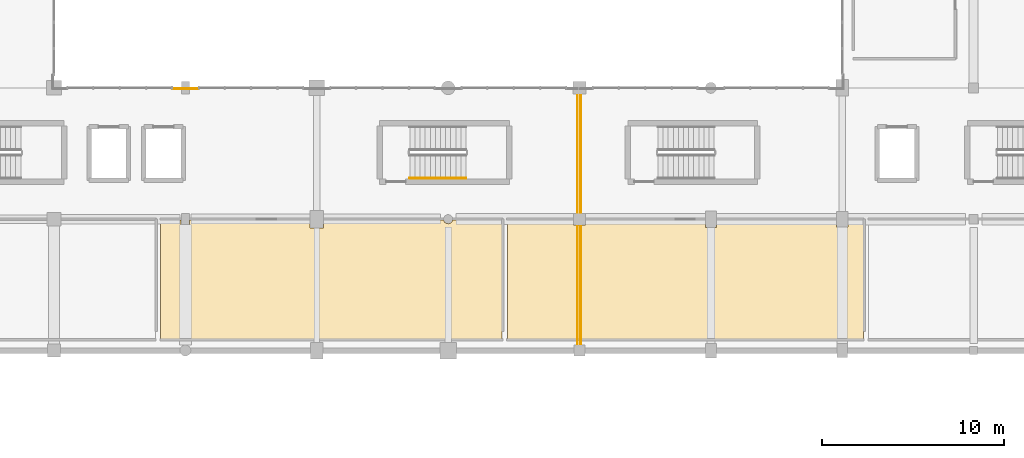
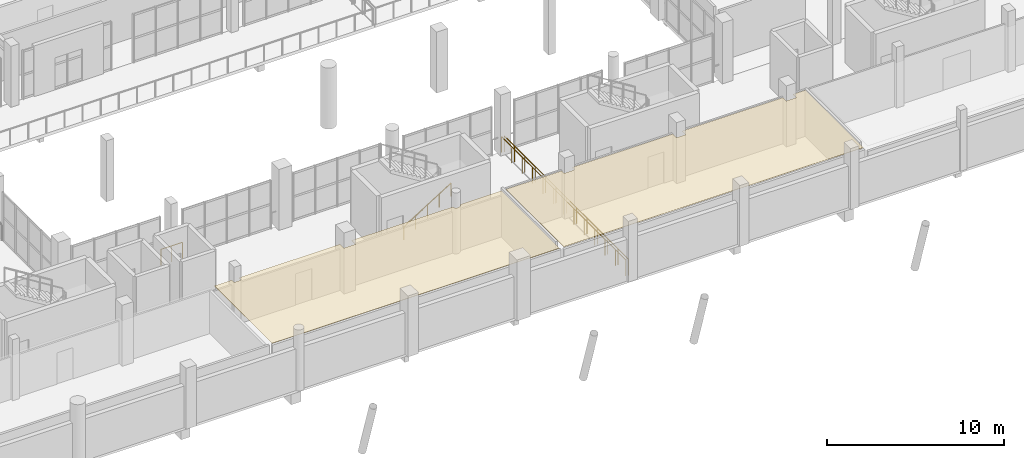
# One storey, part 84 of 92: 4 railings, 2 coverings.
"""IFC4 building model written with IfcOpenShell, lengths in metres."""

from ifc_helpers import new_model, si_unit, direction, frame, origin, origin_2d, place, context, subcontext, project, spatial, polyline, circle, outline, extrude, material, layer, layer_set, type_object, element, save


model = new_model("IFC4")

# Units and contexts
model_context = context("Model", 3, precision=1e-05, world=origin(), true_north=direction((0.0, 1.0)))
body_context = subcontext(model_context, "Body", "Model", "MODEL_VIEW")
ifc_project = project(units=[si_unit("LENGTHUNIT", "METRE"), si_unit("AREAUNIT", "SQUARE_METRE"), si_unit("VOLUMEUNIT", "CUBIC_METRE"), si_unit("PLANEANGLEUNIT", "RADIAN"), si_unit("MASSUNIT", "GRAM", prefix="KILO")], contexts=[model_context])

# Site, building, storey
site_placement = place(None, origin())
site = spatial("IfcSite", under=ifc_project, at=site_placement, CompositionType="ELEMENT")
building_placement = place(site_placement, origin())
building = spatial("IfcBuilding", under=site, at=building_placement, Name="Solanera Park Tramway Depot", CompositionType="ELEMENT")
storey_placement = place(building_placement, frame((0.0, 0.0, 4.800048828125)))
storey = spatial("IfcBuildingStorey", under=building, at=storey_placement, Name="L01", CompositionType="ELEMENT", Elevation=4.800048828125)

# Coverings
ifc_material_1 = material(Name="Acoustic perforated plasterboard and mineral-fibre ceiling")
ifc_layer_1 = layer(ifc_material_1, 0.02001953125)
ifc_layer_set_1 = layer_set([ifc_layer_1], Name="Acoustic perforated plasterboard and mineral-fibre ceiling")
covering_type = type_object("IfcCoveringType", Name="Acoustic Mineral-Fibre Ceiling 20", PredefinedType="CEILING", material=ifc_layer_set_1)
covering_1_placement = place(storey_placement, frame((0.0, 0.0, 3.14990234375)))
element("IfcCovering", 1, at=covering_1_placement, inside=storey, type_object=covering_type, Name="Electric Bus Articulated Simulator 2 Acoustic Ceiling", PredefinedType="CEILING", context=body_context, shape_type="SweptSolid", body=[
    extrude(outline(polyline([(129.3720703125, 17.9599609375), (129.3720703125, 17.697021484375), (129.827880859375, 17.697021484375), (129.827880859375, 17.9599609375), (136.422119140625, 17.9599609375), (136.422119140625, 17.52197265625), (137.177978515625, 17.52197265625), (137.177978515625, 17.9599609375), (143.7509765625, 17.9599609375), (143.766357421875, 17.9033203125), (143.821044921875, 17.821044921875), (143.9033203125, 17.766357421875), (144.0, 17.7470703125), (144.0966796875, 17.766357421875), (144.178955078125, 17.821044921875), (144.233642578125, 17.9033203125), (144.2490234375, 17.9599609375), (146.9599609375, 17.9599609375), (146.9599609375, 11.43994140625), (128.239990234375, 11.43994140625), (128.239990234375, 17.9599609375), (129.3720703125, 17.9599609375)])), origin(), (0.0, 0.0, 1.0), 0.02001953125),
])
covering_2_placement = place(storey_placement, frame((0.0, 0.0, 3.14990234375)))
element("IfcCovering", 2, at=covering_2_placement, inside=storey, type_object=covering_type, Name="Signalling Classroom and Debrief Room Acoustic Ceiling", PredefinedType="CEILING", context=body_context, shape_type="SweptSolid", body=[
    extrude(outline(polyline([(150.8720703125, 17.9599609375), (150.8720703125, 17.672119140625), (151.528076171875, 17.672119140625), (151.528076171875, 17.9599609375), (158.096923828125, 17.9599609375), (158.096923828125, 17.547119140625), (158.702880859375, 17.547119140625), (158.702880859375, 17.9599609375), (165.27197265625, 17.9599609375), (165.27197265625, 17.572021484375), (165.927978515625, 17.572021484375), (165.927978515625, 17.9599609375), (166.760009765625, 17.9599609375), (166.760009765625, 11.43994140625), (147.239990234375, 11.43994140625), (147.239990234375, 17.9599609375), (150.8720703125, 17.9599609375)])), origin(), (0.0, 0.0, 1.0), 0.02001953125),
])

# Railings
ifc_material_2 = material(Name="Powder-coated galvanised steel balustrade", Category="steel")
ifc_layer_2 = layer(ifc_material_2, 0.06005859375)
ifc_layer_set_2 = layer_set([ifc_layer_2], Name="Powder-coated galvanised steel balustrade")
railing_type_1 = type_object("IfcRailingType", Name="Classical Wrought-Style Balustrade 1120", PredefinedType="BALUSTRADE", material=ifc_layer_set_2)
railing_1_placement = place(storey_placement, frame((128.89990234375, 25.139892578125, 0.0)))
element("IfcRailing", 3, at=railing_1_placement, inside=storey, type_object=railing_type_1, Name="L01 Perimeter Deck Balustrade #006", PredefinedType="BALUSTRADE", context=body_context, shape_type="SweptSolid", body=[
    extrude(circle(Radius=0.02392578125, at=origin_2d()), frame((0.0, 0.0, 1.09619140625), z_axis=(1.0, 0.0, 0.0), x_axis=(0.0, 1.0, 0.0)), (0.0, 0.0, 1.0), 1.400146484375),
    extrude(circle(Radius=0.02099609375, at=origin_2d()), origin(), (0.0, 0.0, 1.0), 1.072021484375),
    extrude(circle(Radius=0.02099609375, at=origin_2d()), frame((0.7001953125, 0.0, 0.0)), (0.0, 0.0, 1.0), 1.072021484375),
    extrude(circle(Radius=0.02099609375, at=origin_2d()), frame((1.400146484375, 0.0, 0.0)), (0.0, 0.0, 1.0), 1.072021484375),
])
railing_2_placement = place(storey_placement, frame((151.090087890625, 25.139892578125, 0.0)))
element("IfcRailing", 4, at=railing_2_placement, inside=storey, type_object=railing_type_1, Name="L01 Perimeter Deck Balustrade #010", PredefinedType="BALUSTRADE", context=body_context, shape_type="SweptSolid", body=[
    extrude(circle(Radius=0.02392578125, at=origin_2d()), frame((0.0, 0.0, 1.09619140625), z_axis=(0.0, -1.0, 0.0), x_axis=(1.0, 0.0, 0.0)), (0.0, 0.0, 1.0), 14.019775390625),
    extrude(circle(Radius=0.02099609375, at=origin_2d()), origin(), (0.0, 0.0, 1.0), 1.072021484375),
    extrude(circle(Radius=0.02099609375, at=origin_2d()), frame((0.0, -1.168212890625, 0.0)), (0.0, 0.0, 1.0), 1.072021484375),
    extrude(circle(Radius=0.02099609375, at=origin_2d()), frame((0.0, -2.336669921875, 0.0)), (0.0, 0.0, 1.0), 1.072021484375),
    extrude(circle(Radius=0.02099609375, at=origin_2d()), frame((0.0, -3.5048828125, 0.0)), (0.0, 0.0, 1.0), 1.072021484375),
    extrude(circle(Radius=0.02099609375, at=origin_2d()), frame((0.0, -4.67333984375, 0.0)), (0.0, 0.0, 1.0), 1.072021484375),
    extrude(circle(Radius=0.02099609375, at=origin_2d()), frame((0.0, -5.841552734375, 0.0)), (0.0, 0.0, 1.0), 1.072021484375),
    extrude(circle(Radius=0.02099609375, at=origin_2d()), frame((0.0, -7.009765625, 0.0)), (0.0, 0.0, 1.0), 1.072021484375),
    extrude(circle(Radius=0.02099609375, at=origin_2d()), frame((0.0, -8.17822265625, 0.0)), (0.0, 0.0, 1.0), 1.072021484375),
    extrude(circle(Radius=0.02099609375, at=origin_2d()), frame((0.0, -9.346435546875, 0.0)), (0.0, 0.0, 1.0), 1.072021484375),
    extrude(circle(Radius=0.02099609375, at=origin_2d()), frame((0.0, -10.514892578125, 0.0)), (0.0, 0.0, 1.0), 1.072021484375),
    extrude(circle(Radius=0.02099609375, at=origin_2d()), frame((0.0, -11.68310546875, 0.0)), (0.0, 0.0, 1.0), 1.072021484375),
    extrude(circle(Radius=0.02099609375, at=origin_2d()), frame((0.0, -12.8515625, 0.0)), (0.0, 0.0, 1.0), 1.072021484375),
    extrude(circle(Radius=0.02099609375, at=origin_2d()), frame((0.0, -14.019775390625, 0.0)), (0.0, 0.0, 1.0), 1.072021484375),
])
railing_3_placement = place(storey_placement, frame((151.260009765625, 11.1201171875, 0.0)))
element("IfcRailing", 5, at=railing_3_placement, inside=storey, type_object=railing_type_1, Name="L01 Perimeter Deck Balustrade #024", PredefinedType="BALUSTRADE", context=body_context, shape_type="SweptSolid", body=[
    extrude(circle(Radius=0.02392578125, at=origin_2d()), frame((0.0, 0.0, 1.09619140625), z_axis=(0.0, 1.0, 0.0), x_axis=(-1.0, 0.0, 0.0)), (0.0, 0.0, 1.0), 14.019775390625),
    extrude(circle(Radius=0.02099609375, at=origin_2d()), origin(), (0.0, 0.0, 1.0), 1.072021484375),
    extrude(circle(Radius=0.02099609375, at=origin_2d()), frame((0.0, 1.168212890625, 0.0)), (0.0, 0.0, 1.0), 1.072021484375),
    extrude(circle(Radius=0.02099609375, at=origin_2d()), frame((0.0, 2.336669921875, 0.0)), (0.0, 0.0, 1.0), 1.072021484375),
    extrude(circle(Radius=0.02099609375, at=origin_2d()), frame((0.0, 3.5048828125, 0.0)), (0.0, 0.0, 1.0), 1.072021484375),
    extrude(circle(Radius=0.02099609375, at=origin_2d()), frame((0.0, 4.67333984375, 0.0)), (0.0, 0.0, 1.0), 1.072021484375),
    extrude(circle(Radius=0.02099609375, at=origin_2d()), frame((0.0, 5.841552734375, 0.0)), (0.0, 0.0, 1.0), 1.072021484375),
    extrude(circle(Radius=0.02099609375, at=origin_2d()), frame((0.0, 7.009765625, 0.0)), (0.0, 0.0, 1.0), 1.072021484375),
    extrude(circle(Radius=0.02099609375, at=origin_2d()), frame((0.0, 8.17822265625, 0.0)), (0.0, 0.0, 1.0), 1.072021484375),
    extrude(circle(Radius=0.02099609375, at=origin_2d()), frame((0.0, 9.346435546875, 0.0)), (0.0, 0.0, 1.0), 1.072021484375),
    extrude(circle(Radius=0.02099609375, at=origin_2d()), frame((0.0, 10.514892578125, 0.0)), (0.0, 0.0, 1.0), 1.072021484375),
    extrude(circle(Radius=0.02099609375, at=origin_2d()), frame((0.0, 11.68310546875, 0.0)), (0.0, 0.0, 1.0), 1.072021484375),
    extrude(circle(Radius=0.02099609375, at=origin_2d()), frame((0.0, 12.8515625, 0.0)), (0.0, 0.0, 1.0), 1.072021484375),
    extrude(circle(Radius=0.02099609375, at=origin_2d()), frame((0.0, 14.019775390625, 0.0)), (0.0, 0.0, 1.0), 1.072021484375),
])
ifc_material_3 = material(Name="Brushed stainless steel 316 handrail", Category="steel")
ifc_layer_3 = layer(ifc_material_3, 0.050048828125)
ifc_layer_set_3 = layer_set([ifc_layer_3], Name="Brushed stainless steel 316 handrail")
railing_type_2 = type_object("IfcRailingType", Name="Stair Pitch Tubular Handrail 920", PredefinedType="HANDRAIL", material=ifc_layer_set_3)
railing_4_placement = place(storey_placement, frame((141.89990234375, 20.25, 0.175048828125)))
element("IfcRailing", 6, at=railing_4_placement, inside=storey, type_object=railing_type_2, Name="ST-02 L01 Pitch Handrail 1", PredefinedType="HANDRAIL", context=body_context, shape_type="SweptSolid", body=[
    extrude(circle(Radius=0.02392578125, at=origin_2d()), frame((0.0, 0.0, 0.89599609375), z_axis=(0.848028513186, 0.0, 0.529950602248), x_axis=(0.0, 1.0, 0.0)), (0.0, 0.0, 1.0), 3.632080078125),
    extrude(circle(Radius=0.02099609375, at=origin_2d()), origin(), (0.0, 0.0, 1.0), 0.871826171875),
    extrude(circle(Radius=0.02099609375, at=origin_2d()), frame((0.77001953125, 0.0, 0.481201171875)), (0.0, 0.0, 1.0), 0.871826171875),
    extrude(circle(Radius=0.02099609375, at=origin_2d()), frame((1.5400390625, 0.0, 0.96240234375)), (0.0, 0.0, 1.0), 0.871826171875),
    extrude(circle(Radius=0.02099609375, at=origin_2d()), frame((2.31005859375, 0.0, 1.443603515625)), (0.0, 0.0, 1.0), 0.871826171875),
    extrude(circle(Radius=0.02099609375, at=origin_2d()), frame((3.080078125, 0.0, 1.9248046875)), (0.0, 0.0, 1.0), 0.871826171875),
])

save(model, "model.ifc")
